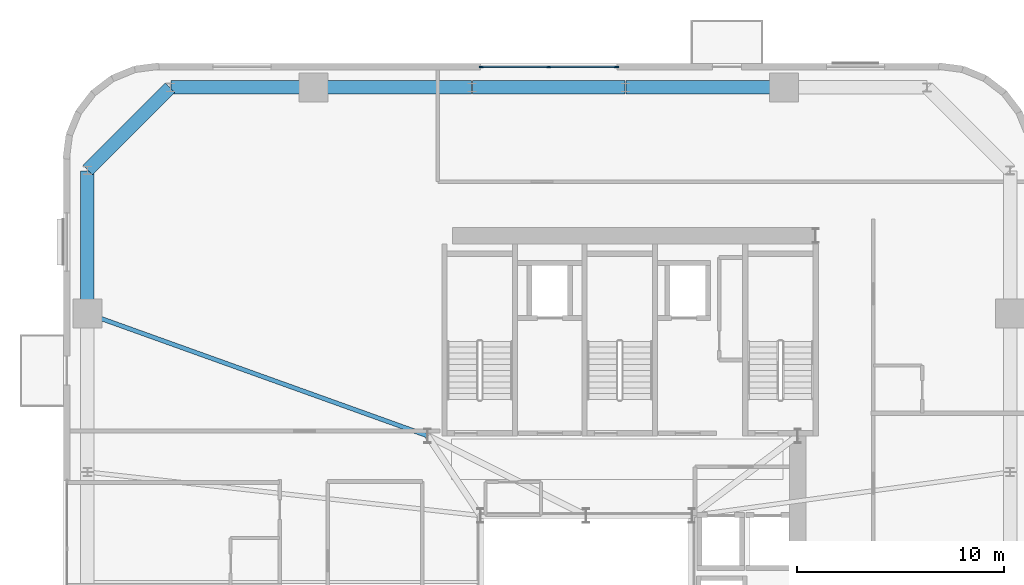
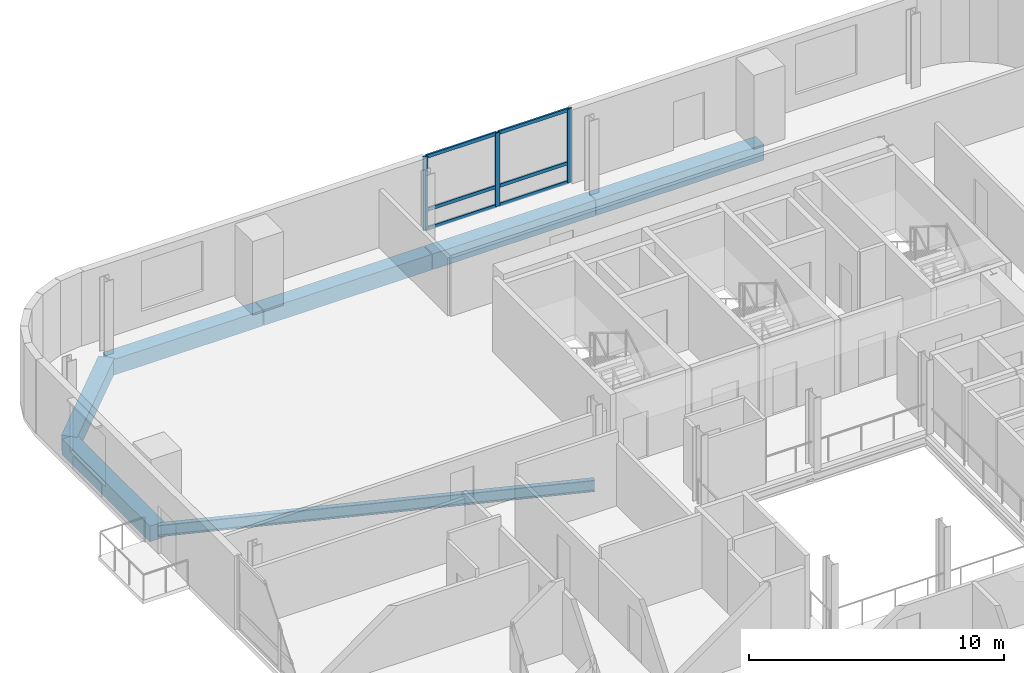
# One storey, part 6 of 16: 9 members, 7 beams, 1 element without a shape of its own.
"""IFC4 building model written with IfcOpenShell, lengths in metres."""

from ifc_helpers import new_model, si_unit, direction, frame, origin, origin_2d, place, context, subcontext, project, spatial, rectangle, i_section, extrude, source, transform, mapped, material, material_profile, profile_set, type_object, element, aggregate, save


model = new_model("IFC4")

# Units and contexts
model_context = context("Model", 3, precision=1e-05, world=origin(), true_north=direction((0.0, 1.0)))
body_context = subcontext(model_context, "Body", "Model", "MODEL_VIEW")
ifc_project = project(units=[si_unit("LENGTHUNIT", "METRE"), si_unit("AREAUNIT", "SQUARE_METRE"), si_unit("VOLUMEUNIT", "CUBIC_METRE"), si_unit("PLANEANGLEUNIT", "RADIAN"), si_unit("MASSUNIT", "GRAM", prefix="KILO")], contexts=[model_context])

# Site, building, storey
site_placement = place(None, origin())
site = spatial("IfcSite", under=ifc_project, at=site_placement, CompositionType="ELEMENT")
building_placement = place(site_placement, origin())
building = spatial("IfcBuilding", under=site, at=building_placement, Name="Vardaveli Station Tower", CompositionType="ELEMENT")
storey_placement = place(building_placement, frame((0.0, 0.0, 203.550048828125)))
storey = spatial("IfcBuildingStorey", under=building, at=storey_placement, Name="L52", CompositionType="ELEMENT", Elevation=203.550048828125)

# Beams
ifc_material_1 = material(Name="Precast concrete C45/55", Category="concrete")
ifc_material_profile_1 = material_profile(ifc_material_1, rectangle(XDim=0.64990234375, YDim=0.75, at=origin_2d()), Name="LPB 650x750")
ifc_profile_set_1 = profile_set([ifc_material_profile_1], Name="Precast concrete C45/55")
beam_type_1 = type_object("IfcBeamType", Name="BM-LPB-750", PredefinedType="BEAM", material=ifc_profile_set_1)
shared_shape_1 = source(origin(), body_context, "Body", "SweptSolid", [
    extrude(rectangle(XDim=0.64990234375, YDim=0.75, at=origin_2d()), origin(), (0.0, 0.0, 1.0), 7.60009765625),
])
for number, where, z_axis, x_axis, name in (
    (1, (45.820068359375, 47.449951171875, -0.594970703125), (-1.0, 0.0, 0.0), (0.0, -1.0, 0.0), "RBM-L52-13"),
    (2, (30.780029296875, 47.449951171875, -0.594970703125), (-1.0, 0.0, 0.0), (0.0, -1.0, 0.0), "RBM-L52-15"),
):
    element("IfcBeam", number, at=place(storey_placement, frame(where, z_axis=z_axis, x_axis=x_axis)), inside=storey, type_object=beam_type_1, Name=name, PredefinedType="BEAM", context=body_context, shape_type="MappedRepresentation", body=[
        mapped(shared_shape_1, transform((0.0, 0.0, 0.0), scale=1.0)),
    ])
shared_shape_2 = source(origin(), body_context, "Body", "SweptSolid", [
    extrude(rectangle(XDim=0.64990234375, YDim=0.75, at=origin_2d()), origin(), (0.0, 0.0, 1.0), 7.35986328125),
])
beam_1_placement = place(storey_placement, frame((38.179931640625, 47.449951171875, -0.594970703125), z_axis=(-1.0, 0.0, 0.0), x_axis=(0.0, -1.0, 0.0)))
element("IfcBeam", 3, at=beam_1_placement, inside=storey, type_object=beam_type_1, Name="RBM-L52-14", PredefinedType="BEAM", context=body_context, shape_type="MappedRepresentation", body=[
    mapped(shared_shape_2, transform((0.0, 0.0, 0.0), scale=1.0)),
])
shared_shape_3 = source(origin(), body_context, "Body", "SweptSolid", [
    extrude(rectangle(XDim=0.64990234375, YDim=0.75, at=origin_2d()), origin(), (0.0, 0.0, 1.0), 6.869873046875),
])
for number, where, z_axis, x_axis, name in (
    (4, (23.139892578125, 47.449951171875, -0.594970703125), (-1.0, 0.0, 0.0), (0.0, -1.0, 0.0), "RBM-L52-16"),
    (5, (12.25, 43.429931640625, -0.594970703125), (0.0, -1.0, 0.0), (1.0, 0.0, 0.0), "RBM-L52-18"),
):
    element("IfcBeam", number, at=place(storey_placement, frame(where, z_axis=z_axis, x_axis=x_axis)), inside=storey, type_object=beam_type_1, Name=name, PredefinedType="BEAM", context=body_context, shape_type="MappedRepresentation", body=[
        mapped(shared_shape_3, transform((0.0, 0.0, 0.0), scale=1.0)),
    ])
shared_shape_4 = source(origin(), body_context, "Body", "SweptSolid", [
    extrude(rectangle(XDim=0.64990234375, YDim=0.75, at=origin_2d()), origin(), (0.0, 0.0, 1.0), 5.61669921875),
])
beam_2_placement = place(storey_placement, frame((16.23583984375, 47.435791015625, -0.594970703125), z_axis=(-0.707106781187, -0.707106781187, 0.0), x_axis=(0.707106781187, -0.707106781187, 0.0)))
element("IfcBeam", 6, at=beam_2_placement, inside=storey, type_object=beam_type_1, Name="RBM-L52-17", PredefinedType="BEAM", context=body_context, shape_type="MappedRepresentation", body=[
    mapped(shared_shape_4, transform((0.0, 0.0, 0.0), scale=1.0)),
])
ifc_material_2 = material(Name="Structural steel S355J2", Category="steel")
ifc_material_profile_2 = material_profile(ifc_material_2, i_section(OverallWidth=0.2099609375, OverallDepth=0.550048828125, WebThickness=0.010986328125, FlangeThickness=0.01708984375, FilletRadius=0.02392578125, at=origin_2d()), Name="IPE 550")
ifc_profile_set_2 = profile_set([ifc_material_profile_2], Name="Structural steel S355J2")
beam_type_2 = type_object("IfcBeamType", Name="BM-IPE550", PredefinedType="BEAM", material=ifc_profile_set_2)
shared_shape_5 = source(origin(), body_context, "Body", "SweptSolid", [
    extrude(i_section(OverallWidth=0.2099609375, OverallDepth=0.550048828125, WebThickness=0.010986328125, FlangeThickness=0.01708984375, FilletRadius=0.02392578125, at=origin_2d()), origin(), (0.0, 0.0, 1.0), 17.385498046875),
])
beam_3_placement = place(storey_placement, frame((12.268798828125, 36.533203125, -0.4951171875), z_axis=(0.941143134401, -0.338008284766, 0.0), x_axis=(0.338008284766, 0.941143134401, 0.0)))
element("IfcBeam", 7, at=beam_3_placement, inside=storey, type_object=beam_type_2, Name="GBM-L52-12", PredefinedType="BEAM", context=body_context, shape_type="MappedRepresentation", body=[
    mapped(shared_shape_5, transform((0.0, 0.0, 0.0), scale=1.0)),
])

# Curtain wall, members
ifc_material_3 = material(Name="Travertine stone and solar-control glass", Category="masonry")
curtain_wall_type = type_object("IfcCurtainWallType", Name="CW-SYS-5", PredefinedType="NOTDEFINED", material=ifc_material_3)
curtain_wall_placement = place(storey_placement, origin())
curtain_wall = element("IfcCurtainWall", 8, at=curtain_wall_placement, inside=storey, type_object=curtain_wall_type, Name="CW-L52-N", PredefinedType="NOTDEFINED")
ifc_material_4 = material(Name="Anodised aluminium alloy 6063-T6", Category="aluminium")
ifc_material_profile_3 = material_profile(ifc_material_4, rectangle(XDim=0.080078125, YDim=0.1650390625, at=origin_2d()), Name="CWT 80x165")
ifc_profile_set_3 = profile_set([ifc_material_profile_3], Name="Anodised aluminium alloy 6063-T6")
member_type_1 = type_object("IfcMemberType", Name="CW-SYS-5-TRAN", PredefinedType="NOTDEFINED", material=ifc_profile_set_3)
shared_shape_6 = source(origin(), body_context, "Body", "SweptSolid", [
    extrude(rectangle(XDim=0.080078125, YDim=0.1650390625, at=origin_2d()), origin(), (0.0, 0.0, 1.0), 3.179931640625),
])
member_1_placement = place(storey_placement, frame((37.719970703125, 48.43994140625, 0.0400390625), z_axis=(-1.0, 0.0, 0.0), x_axis=(0.0, -1.0, 0.0)))
member_1 = element("IfcMember", 9, at=member_1_placement, type_object=member_type_1, Name="CW-5 transom 1.1", ObjectType="TRANSOM", PredefinedType="USERDEFINED", context=body_context, shape_type="MappedRepresentation", body=[
    mapped(shared_shape_6, transform((0.0, 0.0, 0.0), scale=1.0)),
])
member_2_placement = place(storey_placement, frame((37.719970703125, 48.43994140625, 0.949951171875), z_axis=(-1.0, 0.0, 0.0), x_axis=(0.0, -1.0, 0.0)))
member_2 = element("IfcMember", 10, at=member_2_placement, type_object=member_type_1, Name="CW-5 transom 1.2", ObjectType="TRANSOM", PredefinedType="USERDEFINED", context=body_context, shape_type="MappedRepresentation", body=[
    mapped(shared_shape_6, transform((0.0, 0.0, 0.0), scale=1.0)),
])
member_3_placement = place(storey_placement, frame((37.719970703125, 48.43994140625, 3.489990234375), z_axis=(-1.0, 0.0, 0.0), x_axis=(0.0, -1.0, 0.0)))
member_3 = element("IfcMember", 11, at=member_3_placement, type_object=member_type_1, Name="CW-5 transom 1.3", ObjectType="TRANSOM", PredefinedType="USERDEFINED", context=body_context, shape_type="MappedRepresentation", body=[
    mapped(shared_shape_6, transform((0.0, 0.0, 0.0), scale=1.0)),
])
member_4_placement = place(storey_placement, frame((34.4599609375, 48.43994140625, 0.0400390625), z_axis=(-1.0, 0.0, 0.0), x_axis=(0.0, -1.0, 0.0)))
member_4 = element("IfcMember", 12, at=member_4_placement, type_object=member_type_1, Name="CW-5 transom 2.1", ObjectType="TRANSOM", PredefinedType="USERDEFINED", context=body_context, shape_type="MappedRepresentation", body=[
    mapped(shared_shape_6, transform((0.0, 0.0, 0.0), scale=1.0)),
])
member_5_placement = place(storey_placement, frame((34.4599609375, 48.43994140625, 0.949951171875), z_axis=(-1.0, 0.0, 0.0), x_axis=(0.0, -1.0, 0.0)))
member_5 = element("IfcMember", 13, at=member_5_placement, type_object=member_type_1, Name="CW-5 transom 2.2", ObjectType="TRANSOM", PredefinedType="USERDEFINED", context=body_context, shape_type="MappedRepresentation", body=[
    mapped(shared_shape_6, transform((0.0, 0.0, 0.0), scale=1.0)),
])
member_6_placement = place(storey_placement, frame((34.4599609375, 48.43994140625, 3.489990234375), z_axis=(-1.0, 0.0, 0.0), x_axis=(0.0, -1.0, 0.0)))
member_6 = element("IfcMember", 14, at=member_6_placement, type_object=member_type_1, Name="CW-5 transom 2.3", ObjectType="TRANSOM", PredefinedType="USERDEFINED", context=body_context, shape_type="MappedRepresentation", body=[
    mapped(shared_shape_6, transform((0.0, 0.0, 0.0), scale=1.0)),
])
ifc_material_profile_4 = material_profile(ifc_material_4, rectangle(XDim=0.080078125, YDim=0.205078125, at=origin_2d()), Name="CWM 80x205")
ifc_profile_set_4 = profile_set([ifc_material_profile_4], Name="Anodised aluminium alloy 6063-T6")
member_type_2 = type_object("IfcMemberType", Name="CW-SYS-5-MULL", PredefinedType="MULLION", material=ifc_profile_set_4)
shared_shape_7 = source(origin(), body_context, "Body", "SweptSolid", [
    extrude(rectangle(XDim=0.080078125, YDim=0.205078125, at=origin_2d()), origin(), (0.0, 0.0, 1.0), 3.530029296875),
])
member_7_placement = place(storey_placement, frame((37.760009765625, 48.43994140625, 0.0), z_axis=(0.0, 0.0, 1.0), x_axis=(0.0, -1.0, 0.0)))
member_7 = element("IfcMember", 15, at=member_7_placement, type_object=member_type_2, Name="CW-5 mullion 1", PredefinedType="MULLION", context=body_context, shape_type="MappedRepresentation", body=[
    mapped(shared_shape_7, transform((0.0, 0.0, 0.0), scale=1.0)),
])
member_8_placement = place(storey_placement, frame((34.5, 48.43994140625, 0.0), z_axis=(0.0, 0.0, 1.0), x_axis=(0.0, -1.0, 0.0)))
member_8 = element("IfcMember", 16, at=member_8_placement, type_object=member_type_2, Name="CW-5 mullion 2", PredefinedType="MULLION", context=body_context, shape_type="MappedRepresentation", body=[
    mapped(shared_shape_7, transform((0.0, 0.0, 0.0), scale=1.0)),
])
member_9_placement = place(storey_placement, frame((31.239990234375, 48.43994140625, 0.0), z_axis=(0.0, 0.0, 1.0), x_axis=(0.0, -1.0, 0.0)))
member_9 = element("IfcMember", 17, at=member_9_placement, type_object=member_type_2, Name="CW-5 mullion 3", PredefinedType="MULLION", context=body_context, shape_type="MappedRepresentation", body=[
    mapped(shared_shape_7, transform((0.0, 0.0, 0.0), scale=1.0)),
])
aggregate(curtain_wall, [member_7, member_8, member_9, member_1, member_2, member_3, member_4, member_5, member_6])

save(model, "model.ifc")
